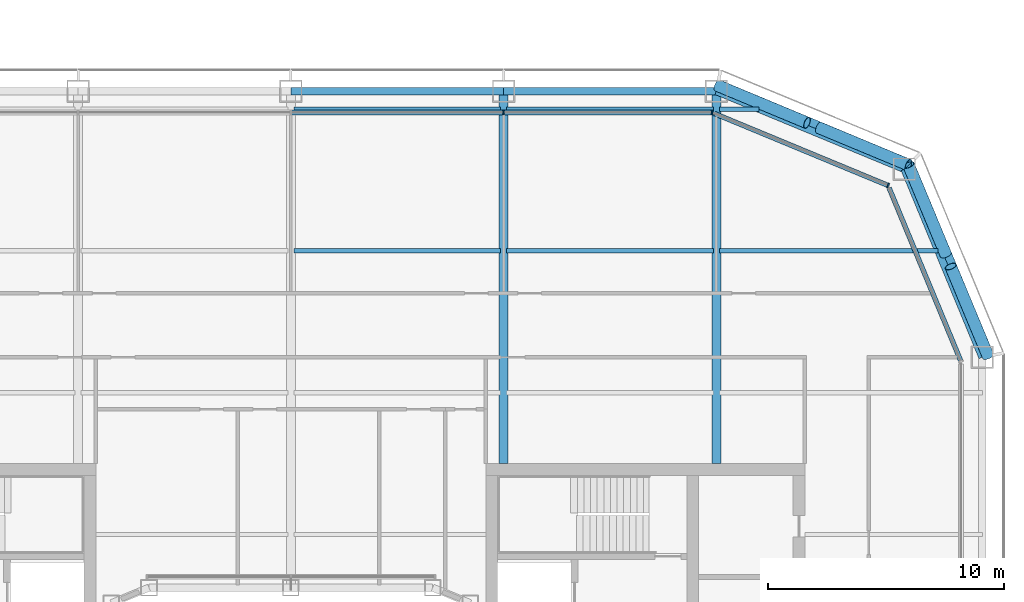
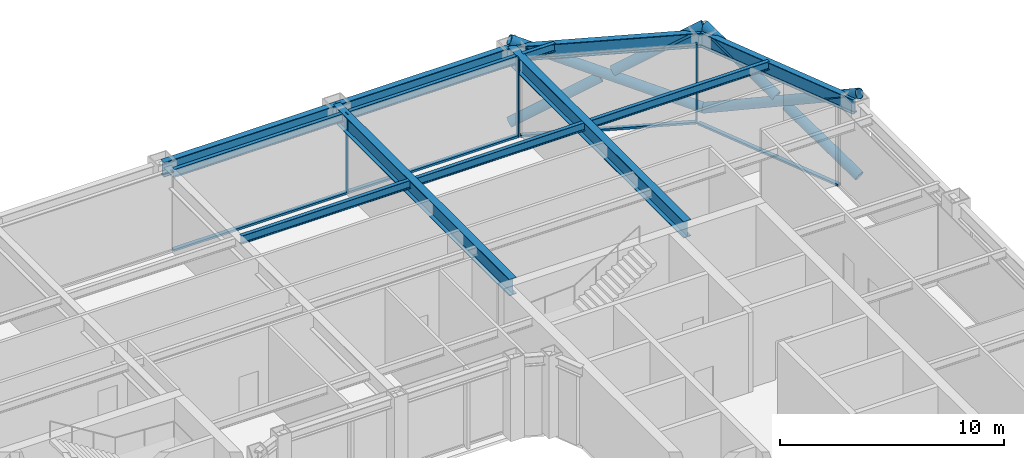
# One storey, part 9 of 23: 13 members, 12 beams, 3 elements without a shape of their own.
"""IFC4 building model written with IfcOpenShell, lengths in metres."""

from ifc_helpers import new_model, si_unit, direction, frame, origin, origin_2d, place, context, subcontext, project, spatial, rectangle, hollow_circle, i_section, extrude, material, layer, layer_set, material_profile, profile_set, type_object, element, aggregate, save


model = new_model("IFC4")

# Units and contexts
model_context = context("Model", 3, precision=1e-05, world=origin(), true_north=direction((0.0, 1.0)))
body_context = subcontext(model_context, "Body", "Model", "MODEL_VIEW")
ifc_project = project(units=[si_unit("LENGTHUNIT", "METRE"), si_unit("AREAUNIT", "SQUARE_METRE"), si_unit("VOLUMEUNIT", "CUBIC_METRE"), si_unit("PLANEANGLEUNIT", "RADIAN"), si_unit("MASSUNIT", "GRAM", prefix="KILO")], contexts=[model_context])

# Site, building, storey
site_placement = place(None, origin())
site = spatial("IfcSite", under=ifc_project, at=site_placement, CompositionType="ELEMENT")
building_placement = place(site_placement, origin())
building = spatial("IfcBuilding", under=site, at=building_placement, Name="Siwar Civic Tower", CompositionType="ELEMENT")
storey_placement = place(building_placement, frame((0.0, 0.0, 118.199951171875)))
storey = spatial("IfcBuildingStorey", under=building, at=storey_placement, Name="L25", CompositionType="ELEMENT", Elevation=118.199951171875)

# Curtain wall, member
ifc_material_1 = material(Name="Aluminium clad insulated panel", Category="aluminium")
ifc_layer_1 = layer(ifc_material_1, 0.199951171875)
ifc_layer_set_1 = layer_set([ifc_layer_1], Name="Aluminium clad insulated panel")
curtain_wall_type_1 = type_object("IfcCurtainWallType", Name="ENV-CW-BX", PredefinedType="NOTDEFINED", material=ifc_layer_set_1)
curtain_wall_1_placement = place(storey_placement, origin())
curtain_wall_1 = element("IfcCurtainWall", 1, at=curtain_wall_1_placement, inside=storey, type_object=curtain_wall_type_1, Name="Curtain wall B NE2", PredefinedType="NOTDEFINED")
ifc_material_2 = material(Name="Aluminium 6063-T6", Category="aluminium")
ifc_material_profile_1 = material_profile(ifc_material_2, rectangle(XDim=0.199951171875, YDim=0.06494140625, at=origin_2d()), Name="AL 200x65")
ifc_profile_set_1 = profile_set([ifc_material_profile_1], Name="Aluminium 6063-T6")
member_type_1 = type_object("IfcMemberType", Name="ENV-MULLION-B", PredefinedType="MULLION", material=ifc_profile_set_1)
member_1_placement = place(storey_placement, frame((25.26611328125, 25.26611328125, 0.0), z_axis=(0.0, 0.0, 1.0), x_axis=(-0.382683432365, -0.923879532511, 0.0)))
member_1 = element("IfcMember", 2, at=member_1_placement, type_object=member_type_1, Name="Mullion B NE2 1", PredefinedType="MULLION", context=body_context, shape_type="SweptSolid", body=[
    extrude(rectangle(XDim=0.199951171875, YDim=0.06494140625, at=origin_2d()), origin(), (0.0, 0.0, 1.0), 4.35009765625),
])

# Curtain wall, members
ifc_material_3 = material(Name="Aluminium and glass", Category="aluminium")
ifc_layer_2 = layer(ifc_material_3, 0.199951171875)
ifc_layer_set_2 = layer_set([ifc_layer_2], Name="Aluminium and glass")
curtain_wall_type_2 = type_object("IfcCurtainWallType", Name="ENV-CW-B", PredefinedType="NOTDEFINED", material=ifc_layer_set_2)
curtain_wall_2_placement = place(storey_placement, origin())
curtain_wall_2 = element("IfcCurtainWall", 3, at=curtain_wall_2_placement, inside=storey, type_object=curtain_wall_type_2, Name="Curtain wall B N", PredefinedType="NOTDEFINED")
member_2_placement = place(storey_placement, frame((17.821044921875, 28.35009765625, 0.0), z_axis=(0.0, 0.0, 1.0), x_axis=(0.0, -1.0, 0.0)))
member_2 = element("IfcMember", 4, at=member_2_placement, type_object=member_type_1, Name="Mullion B N 1", PredefinedType="MULLION", context=body_context, shape_type="SweptSolid", body=[
    extrude(rectangle(XDim=0.199951171875, YDim=0.06494140625, at=origin_2d()), origin(), (0.0, 0.0, 1.0), 4.35009765625),
])
member_3_placement = place(storey_placement, frame((9.0, 28.35009765625, 0.0), z_axis=(0.0, 0.0, 1.0), x_axis=(0.0, -1.0, 0.0)))
member_3 = element("IfcMember", 5, at=member_3_placement, type_object=member_type_1, Name="Mullion B N 2", PredefinedType="MULLION", context=body_context, shape_type="SweptSolid", body=[
    extrude(rectangle(XDim=0.199951171875, YDim=0.06494140625, at=origin_2d()), origin(), (0.0, 0.0, 1.0), 4.35009765625),
])

# Curtain wall, member
curtain_wall_3_placement = place(storey_placement, origin())
curtain_wall_3 = element("IfcCurtainWall", 6, at=curtain_wall_3_placement, inside=storey, type_object=curtain_wall_type_1, Name="Curtain wall B NE1", PredefinedType="NOTDEFINED")
ifc_material_4 = material(Name="Aluminium 6063-T6", Category="aluminium")
ifc_material_profile_2 = material_profile(ifc_material_4, rectangle(XDim=0.199951171875, YDim=0.110107421875, at=origin_2d()), Name="AL 200x110")
ifc_profile_set_2 = profile_set([ifc_material_profile_2], Name="Aluminium 6063-T6")
member_type_2 = type_object("IfcMemberType", Name="ENV-TRANSOM-B", PredefinedType="USERDEFINED", material=ifc_profile_set_2)
member_4_placement = place(storey_placement, frame((28.337646484375, 17.85107421875, 0.054931640625), z_axis=(-0.382699695651, 0.92387279587, 0.0), x_axis=(-0.92387279587, -0.382699695651, 0.0)))
member_4 = element("IfcMember", 7, at=member_4_placement, type_object=member_type_2, Name="Transom B NE1 1", ObjectType="TRANSOM", PredefinedType="USERDEFINED", context=body_context, shape_type="SweptSolid", body=[
    extrude(rectangle(XDim=0.199951171875, YDim=0.110107421875, at=origin_2d()), origin(), (0.0, 0.0, 1.0), 7.912353515625),
])
aggregate(curtain_wall_3, [member_4])

# Member
member_5_placement = place(storey_placement, frame((25.236083984375, 25.278564453125, 0.054931640625), z_axis=(-0.923883705044, 0.382673358825, 0.0), x_axis=(-0.382673358825, -0.923883705044, 0.0)))
member_5 = element("IfcMember", 8, at=member_5_placement, type_object=member_type_2, Name="Transom B NE2 1", ObjectType="TRANSOM", PredefinedType="USERDEFINED", context=body_context, shape_type="SweptSolid", body=[
    extrude(rectangle(XDim=0.199951171875, YDim=0.110107421875, at=origin_2d()), origin(), (0.0, 0.0, 1.0), 7.912353515625),
])

aggregate(curtain_wall_1, [member_1, member_5])

member_6_placement = place(storey_placement, frame((17.78857421875, 28.35009765625, 0.054931640625), z_axis=(-1.0, 0.0, 0.0), x_axis=(0.0, -1.0, 0.0)))
member_6 = element("IfcMember", 9, at=member_6_placement, type_object=member_type_2, Name="Transom B N 1", ObjectType="TRANSOM", PredefinedType="USERDEFINED", context=body_context, shape_type="SweptSolid", body=[
    extrude(rectangle(XDim=0.199951171875, YDim=0.110107421875, at=origin_2d()), origin(), (0.0, 0.0, 1.0), 8.756103515625),
])

member_7_placement = place(storey_placement, frame((8.967529296875, 28.35009765625, 0.054931640625), z_axis=(-1.0, 0.0, 0.0), x_axis=(0.0, -1.0, 0.0)))
member_7 = element("IfcMember", 10, at=member_7_placement, type_object=member_type_2, Name="Transom B N 2", ObjectType="TRANSOM", PredefinedType="USERDEFINED", context=body_context, shape_type="SweptSolid", body=[
    extrude(rectangle(XDim=0.199951171875, YDim=0.110107421875, at=origin_2d()), origin(), (0.0, 0.0, 1.0), 8.93505859375),
])

aggregate(curtain_wall_2, [member_2, member_3, member_6, member_7])

# Members
ifc_material_5 = material(Name="Steel S355", Category="steel")
ifc_material_profile_3 = material_profile(ifc_material_5, hollow_circle(Radius=0.25390625, WallThickness=0.02490234375, at=origin_2d()), Name="CHS508x25")
ifc_profile_set_3 = profile_set([ifc_material_profile_3], Name="Steel S355")
member_type_3 = type_object("IfcMemberType", Name="STR-BR-CHS508x25", PredefinedType="BRACE", material=ifc_profile_set_3)
member_8_placement = place(storey_placement, frame((26.1318359375, 26.1318359375, 0.0), z_axis=(-0.821142553604, 0.341671493852, 0.457149315816), x_axis=(-0.384163874976, -0.923264922524, 0.0)))
element("IfcMember", 11, at=member_8_placement, inside=storey, type_object=member_type_3, Name="L25/brc/BNE1-4-0-1", PredefinedType="BRACE", context=body_context, shape_type="SweptSolid", body=[
    extrude(hollow_circle(Radius=0.25390625, WallThickness=0.02490234375, at=origin_2d()), origin(), (0.0, 0.0, 1.0), 9.843505859375),
])
for number, where, z_axis, x_axis, name in (
    (12, (18.048828125, 29.4951171875, 0.0), (0.821126041429, -0.341677318012, 0.457174621391), (0.384176042158, 0.923259859753, 0.0), "L25/brc/BNE1-4-0-2"),
    (13, (22.342529296875, 27.70849609375, 2.390625), (0.821163134736, -0.341670737976, 0.457112910516), (0.384154943021, 0.923268638995, 0.0), "L25/brc/BNE1-4-0-3"),
):
    element("IfcMember", number, at=place(storey_placement, frame(where, z_axis=z_axis, x_axis=x_axis)), inside=storey, type_object=member_type_3, Name=name, PredefinedType="BRACE", context=body_context, shape_type="SweptSolid", body=[
        extrude(hollow_circle(Radius=0.25390625, WallThickness=0.02490234375, at=origin_2d()), origin(), (0.0, 0.0, 1.0), 4.614501953125),
    ])
member_9_placement = place(storey_placement, frame((26.1318359375, 26.1318359375, 0.0), z_axis=(0.341671493852, -0.821142553604, 0.457149315816), x_axis=(0.923264922524, 0.384163874976, 0.0)))
element("IfcMember", 14, at=member_9_placement, inside=storey, type_object=member_type_3, Name="L25/brc/BNE1-4-0-0", PredefinedType="BRACE", context=body_context, shape_type="SweptSolid", body=[
    extrude(hollow_circle(Radius=0.25390625, WallThickness=0.02490234375, at=origin_2d()), origin(), (0.0, 0.0, 1.0), 9.843505859375),
])
for number, where, z_axis, x_axis, name in (
    (15, (29.4951171875, 18.048828125, 0.0), (-0.341677318012, 0.821126041429, 0.457174621391), (-0.923259859753, -0.384176042158, 0.0), "L25/brc/BNE1-4-0-4"),
    (16, (27.70849609375, 22.342529296875, 2.390625), (-0.341670737976, 0.821163134736, 0.457112910516), (-0.923268638995, -0.384154943021, 0.0), "L25/brc/BNE1-4-0-5"),
):
    element("IfcMember", number, at=place(storey_placement, frame(where, z_axis=z_axis, x_axis=x_axis)), inside=storey, type_object=member_type_3, Name=name, PredefinedType="BRACE", context=body_context, shape_type="SweptSolid", body=[
        extrude(hollow_circle(Radius=0.25390625, WallThickness=0.02490234375, at=origin_2d()), origin(), (0.0, 0.0, 1.0), 4.614501953125),
    ])

# Beams
ifc_material_6 = material(Name="Steel S355", Category="steel")
ifc_material_profile_4 = material_profile(ifc_material_6, i_section(OverallWidth=0.18994140625, OverallDepth=0.449951171875, WebThickness=0.009521484375, FlangeThickness=0.0146484375, FilletRadius=0.02099609375, at=origin_2d()), Name="IPE450")
ifc_profile_set_4 = profile_set([ifc_material_profile_4], Name="Steel S355")
beam_type_1 = type_object("IfcBeamType", Name="STR-FB-IPE450", PredefinedType="JOIST", material=ifc_profile_set_4)
for number, where, z_axis, x_axis, name in (
    (17, (0.1298828125, 22.5, 4.125), (1.0, 0.0, 0.0), (0.0, 1.0, 0.0), "L25/bm/F040"),
    (18, (9.1298828125, 22.5, 4.125), (1.0, 0.0, 0.0), (0.0, 1.0, 0.0), "L25/bm/F041"),
):
    element("IfcBeam", number, at=place(storey_placement, frame(where, z_axis=z_axis, x_axis=x_axis)), inside=storey, type_object=beam_type_1, Name=name, PredefinedType="JOIST", context=body_context, shape_type="SweptSolid", body=[
        extrude(i_section(OverallWidth=0.18994140625, OverallDepth=0.449951171875, WebThickness=0.009521484375, FlangeThickness=0.0146484375, FilletRadius=0.02099609375, at=origin_2d()), origin(), (0.0, 0.0, 1.0), 8.740234375),
    ])
beam_1_placement = place(storey_placement, frame((18.1298828125, 22.5, 4.125), z_axis=(1.0, 0.0, 0.0), x_axis=(0.0, 1.0, 0.0)))
element("IfcBeam", 19, at=beam_1_placement, inside=storey, type_object=beam_type_1, Name="L25/bm/F042", PredefinedType="JOIST", context=body_context, shape_type="SweptSolid", body=[
    extrude(i_section(OverallWidth=0.18994140625, OverallDepth=0.449951171875, WebThickness=0.009521484375, FlangeThickness=0.0146484375, FilletRadius=0.02099609375, at=origin_2d()), origin(), (0.0, 0.0, 1.0), 9.256103515625),
])
for number, where, z_axis, x_axis, name in (
    (20, (0.1298828125, 28.5, 4.125), (1.0, 0.0, 0.0), (0.0, 1.0, 0.0), "L25/bm/F046"),
    (21, (9.1298828125, 28.5, 4.125), (1.0, 0.0, 0.0), (0.0, 1.0, 0.0), "L25/bm/F047"),
):
    element("IfcBeam", number, at=place(storey_placement, frame(where, z_axis=z_axis, x_axis=x_axis)), inside=storey, type_object=beam_type_1, Name=name, PredefinedType="JOIST", context=body_context, shape_type="SweptSolid", body=[
        extrude(i_section(OverallWidth=0.18994140625, OverallDepth=0.449951171875, WebThickness=0.009521484375, FlangeThickness=0.0146484375, FilletRadius=0.02099609375, at=origin_2d()), origin(), (0.0, 0.0, 1.0), 8.740234375),
    ])
beam_2_placement = place(storey_placement, frame((18.1298828125, 28.5, 4.125), z_axis=(1.0, 0.0, 0.0), x_axis=(0.0, 1.0, 0.0)))
element("IfcBeam", 22, at=beam_2_placement, inside=storey, type_object=beam_type_1, Name="L25/bm/F048", PredefinedType="JOIST", context=body_context, shape_type="SweptSolid", body=[
    extrude(i_section(OverallWidth=0.18994140625, OverallDepth=0.449951171875, WebThickness=0.009521484375, FlangeThickness=0.0146484375, FilletRadius=0.02099609375, at=origin_2d()), origin(), (0.0, 0.0, 1.0), 1.6806640625),
])
ifc_material_7 = material(Name="Steel S355", Category="steel")
ifc_material_profile_5 = material_profile(ifc_material_7, i_section(OverallWidth=0.3798828125, OverallDepth=0.89990234375, WebThickness=0.01611328125, FlangeThickness=0.035888671875, at=origin_2d()), Name="PG900x380x16x36")
ifc_profile_set_5 = profile_set([ifc_material_profile_5], Name="Steel S355")
beam_type_2 = type_object("IfcBeamType", Name="STR-PG-PG900x380x16x36", PredefinedType="BEAM", material=ifc_profile_set_5)
for number, where, z_axis, x_axis, name in (
    (23, (9.0, 13.5, 3.900146484375), (0.0, 1.0, 0.0), (-1.0, 0.0, 0.0), "L25/bm/G08"),
    (24, (18.0, 13.5, 3.900146484375), (0.0, 1.0, 0.0), (-1.0, 0.0, 0.0), "L25/bm/G10"),
):
    element("IfcBeam", number, at=place(storey_placement, frame(where, z_axis=z_axis, x_axis=x_axis)), inside=storey, type_object=beam_type_2, Name=name, PredefinedType="BEAM", context=body_context, shape_type="SweptSolid", body=[
        extrude(i_section(OverallWidth=0.3798828125, OverallDepth=0.89990234375, WebThickness=0.01611328125, FlangeThickness=0.035888671875, at=origin_2d()), origin(), (0.0, 0.0, 1.0), 15.75),
    ])
ifc_material_8 = material(Name="Steel S355", Category="steel")
ifc_material_profile_6 = material_profile(ifc_material_8, i_section(OverallWidth=0.300048828125, OverallDepth=0.800048828125, WebThickness=0.017578125, FlangeThickness=0.032958984375, FilletRadius=0.030029296875, at=origin_2d()), Name="HEB800")
ifc_profile_set_6 = profile_set([ifc_material_profile_6], Name="Steel S355")
beam_type_3 = type_object("IfcBeamType", Name="STR-SB-HEB800", PredefinedType="BEAM", material=ifc_profile_set_6)
for number, where, z_axis, x_axis, name in (
    (25, (29.25, 18.0, 3.949951171875), (-0.382699877515, 0.923872720536, 0.0), (-0.923872720536, -0.382699877515, 0.0), "L25/bm/SNE1-0"),
    (26, (25.954833984375, 25.954833984375, 3.949951171875), (-0.923872720536, 0.382699877515, 0.0), (-0.382699877515, -0.923872720536, 0.0), "L25/bm/SNE2-0"),
):
    element("IfcBeam", number, at=place(storey_placement, frame(where, z_axis=z_axis, x_axis=x_axis)), inside=storey, type_object=beam_type_3, Name=name, PredefinedType="BEAM", context=body_context, shape_type="SweptSolid", body=[
        extrude(i_section(OverallWidth=0.300048828125, OverallDepth=0.800048828125, WebThickness=0.017578125, FlangeThickness=0.032958984375, FilletRadius=0.030029296875, at=origin_2d()), origin(), (0.0, 0.0, 1.0), 8.6103515625),
    ])
for number, where, z_axis, x_axis, name in (
    (27, (18.0, 29.25, 3.949951171875), (-1.0, 0.0, 0.0), (0.0, -1.0, 0.0), "L25/bm/SN-0"),
    (28, (9.0, 29.25, 3.949951171875), (-1.0, 0.0, 0.0), (0.0, -1.0, 0.0), "L25/bm/SN-1"),
):
    element("IfcBeam", number, at=place(storey_placement, frame(where, z_axis=z_axis, x_axis=x_axis)), inside=storey, type_object=beam_type_3, Name=name, PredefinedType="BEAM", context=body_context, shape_type="SweptSolid", body=[
        extrude(i_section(OverallWidth=0.300048828125, OverallDepth=0.800048828125, WebThickness=0.017578125, FlangeThickness=0.032958984375, FilletRadius=0.030029296875, at=origin_2d()), origin(), (0.0, 0.0, 1.0), 9.0),
    ])

save(model, "model.ifc")
